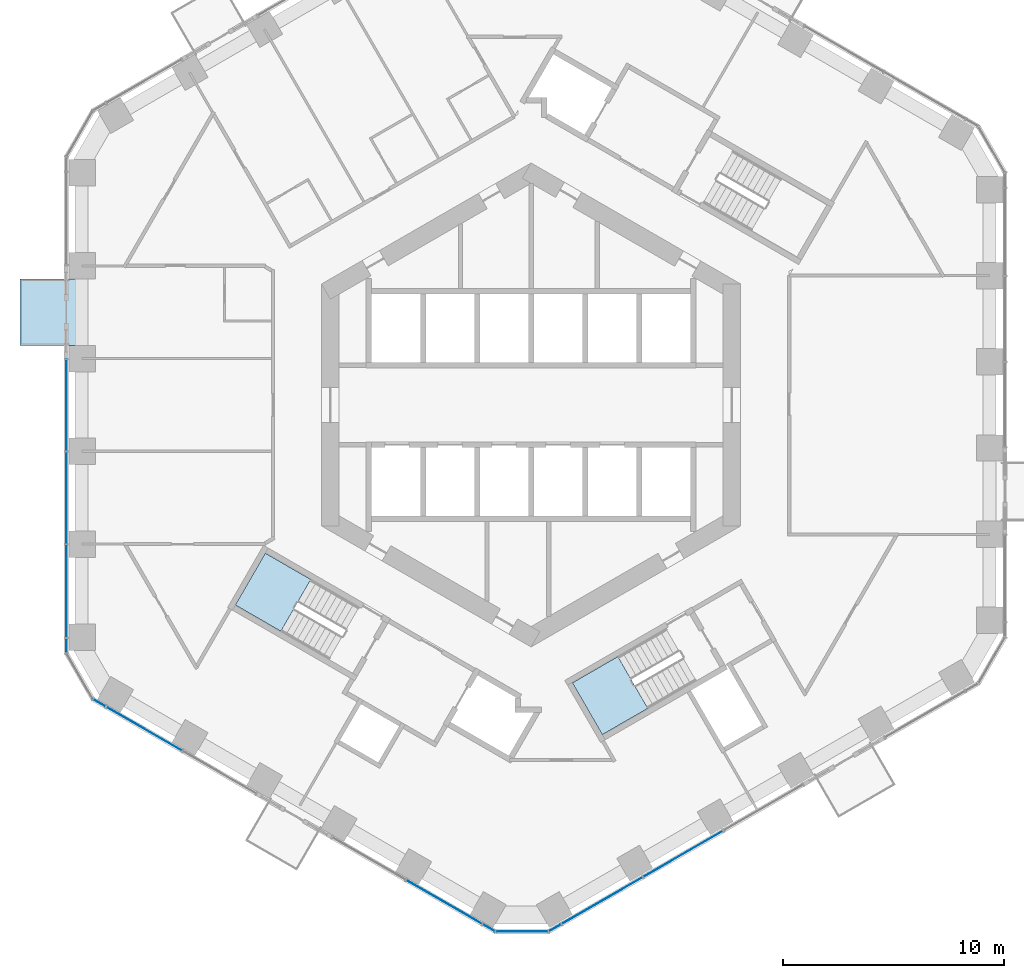
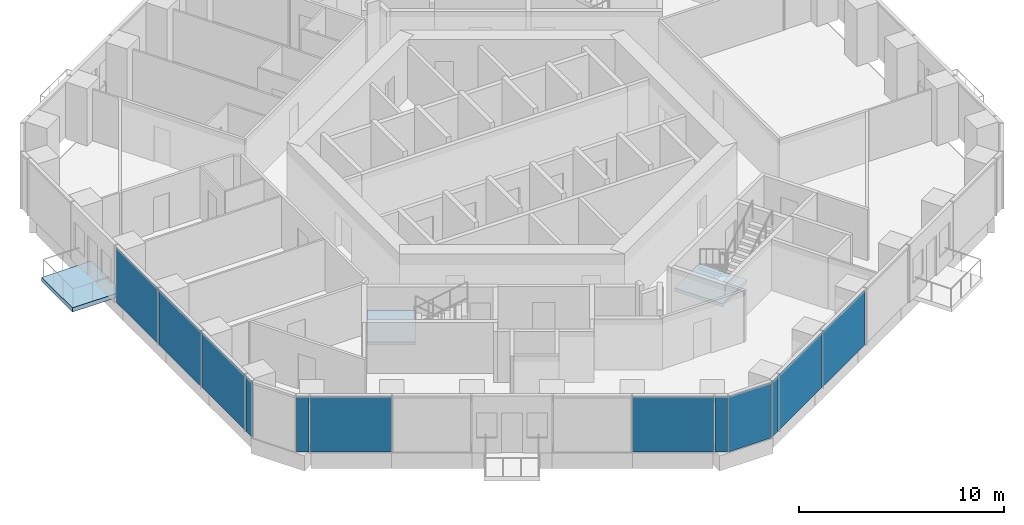
# One storey, part 9 of 20: 12 plates, 3 slabs, 8 elements without a shape of their own.
"""IFC4 building model written with IfcOpenShell, lengths in metres."""

from ifc_helpers import new_model, si_unit, direction, frame, origin, origin_2d, place, context, subcontext, project, spatial, polyline, rectangle, outline, extrude, material, layer, layer_set, type_object, element, aggregate, save


model = new_model("IFC4")

# Units and contexts
model_context = context("Model", 3, precision=1e-05, world=origin(), true_north=direction((0.0, 1.0)))
body_context = subcontext(model_context, "Body", "Model", "MODEL_VIEW")
ifc_project = project(units=[si_unit("LENGTHUNIT", "METRE"), si_unit("AREAUNIT", "SQUARE_METRE"), si_unit("VOLUMEUNIT", "CUBIC_METRE"), si_unit("PLANEANGLEUNIT", "RADIAN"), si_unit("MASSUNIT", "GRAM", prefix="KILO")], contexts=[model_context])

# Site, building, storey
site_placement = place(None, origin())
site = spatial("IfcSite", under=ifc_project, at=site_placement, CompositionType="ELEMENT")
building_placement = place(site_placement, origin())
building = spatial("IfcBuilding", under=site, at=building_placement, Name="Ayvan Gate Tower", CompositionType="ELEMENT")
storey_placement = place(building_placement, frame((0.0, 0.0, 49.300048828125)))
storey = spatial("IfcBuildingStorey", under=building, at=storey_placement, Name="L12", CompositionType="ELEMENT", Elevation=49.300048828125)

# Slab
ifc_material_1 = material(Name="Concrete C40/50", Category="concrete")
ifc_layer_1 = layer(ifc_material_1, 0.25)
ifc_layer_set_1 = layer_set([ifc_layer_1], Name="Concrete C40/50")
slab_type_1 = type_object("IfcSlabType", Name="Balcony slab 250", PredefinedType="FLOOR", material=ifc_layer_set_1)
slab_1_placement = place(storey_placement, frame((0.0, 0.0, -0.25)))
element("IfcSlab", 1, at=slab_1_placement, inside=storey, type_object=slab_type_1, Name="Balcony slab BAL-L12-3", PredefinedType="FLOOR", context=body_context, shape_type="SweptSolid", body=[
    extrude(outline(polyline([(-20.369140625, 5.70458984375), (-20.369140625, 2.70166015625), (-23.169189453125, 2.70166015625), (-23.169189453125, 5.70458984375), (-20.369140625, 5.70458984375)])), origin(), (0.0, 0.0, 1.0), 0.25),
])

# Stair, slab
stair_type = type_object("IfcStairType", Name="ST-EXIT", PredefinedType="HALF_TURN_STAIR", material=ifc_material_1)
stair_1_placement = place(storey_placement, origin())
stair_1 = element("IfcStair", 2, at=stair_1_placement, inside=storey, type_object=stair_type, Name="L12 Exit Stair S2", PredefinedType="HALF_TURN_STAIR")
ifc_layer_2 = layer(ifc_material_1, 0.199951171875)
ifc_layer_set_2 = layer_set([ifc_layer_2], Name="Concrete C40/50")
slab_type_2 = type_object("IfcSlabType", Name="SL-LANDING-200", PredefinedType="LANDING", material=ifc_layer_set_2)
slab_2_placement = place(storey_placement, frame((0.0, 0.0, 1.5)))
slab_2 = element("IfcSlab", 3, at=slab_2_placement, type_object=slab_type_2, Name="STS2 landing 1", PredefinedType="LANDING", context=body_context, shape_type="SweptSolid", body=[
    extrude(outline(polyline([(-9.988525390625, -7.91064453125), (-12.049560546875, -6.720458984375), (-13.404541015625, -9.0673828125), (-11.343505859375, -10.257568359375), (-9.988525390625, -7.91064453125)])), origin(), (0.0, 0.0, 1.0), 0.199951171875),
])
aggregate(stair_1, [slab_2])

stair_2_placement = place(storey_placement, origin())
stair_2 = element("IfcStair", 4, at=stair_2_placement, inside=storey, type_object=stair_type, Name="L12 Exit Stair S3", PredefinedType="HALF_TURN_STAIR")
slab_3_placement = place(storey_placement, frame((0.0, 0.0, 1.5)))
slab_3 = element("IfcSlab", 5, at=slab_3_placement, type_object=slab_type_2, Name="STS3 landing 1", PredefinedType="LANDING", context=body_context, shape_type="SweptSolid", body=[
    extrude(outline(polyline([(3.93505859375, -11.405517578125), (1.873779296875, -12.595458984375), (3.228759765625, -14.9423828125), (5.2900390625, -13.75244140625), (3.93505859375, -11.405517578125)])), origin(), (0.0, 0.0, 1.0), 0.199951171875),
])
aggregate(stair_2, [slab_3])

# Curtain wall, plates
ifc_material_2 = material(Name="Bronze anodised aluminium", Category="aluminium")
ifc_layer_3 = layer(ifc_material_2, 0.199951171875)
ifc_layer_set_3 = layer_set([ifc_layer_3], Name="Bronze anodised aluminium")
curtain_wall_type_1 = type_object("IfcCurtainWallType", Name="Stick curtain wall CW-1", PredefinedType="NOTDEFINED", material=ifc_layer_set_3)
curtain_wall_1_placement = place(storey_placement, origin())
curtain_wall_1 = element("IfcCurtainWall", 6, at=curtain_wall_1_placement, inside=storey, type_object=curtain_wall_type_1, Name="Stick curtain wall CW-1 L12", PredefinedType="NOTDEFINED")
ifc_material_3 = material(Name="Clear low-iron laminated glass", Category="glass")
ifc_layer_4 = layer(ifc_material_3, 0.028076171875)
ifc_layer_set_4 = layer_set([ifc_layer_4], Name="Clear low-iron laminated glass")
plate_type_1 = type_object("IfcPlateType", Name="Stick curtain wall CW-1 glass panel", PredefinedType="CURTAIN_PANEL", material=ifc_layer_set_4)
plate_1_placement = place(storey_placement, frame((-21.069091796875, 0.0, 0.0), z_axis=(0.0, 0.0, 1.0), x_axis=(0.0, -1.0, 0.0)))
plate_1 = element("IfcPlate", 7, at=plate_1_placement, type_object=plate_type_1, Name="CW-1 glass panel 1", PredefinedType="CURTAIN_PANEL", context=body_context, shape_type="SweptSolid", body=[
    extrude(rectangle(XDim=4.14990234375, YDim=0.028076171875, at=origin_2d()), origin(), (0.0, 0.0, 1.0), 3.280029296875),
])
plate_2_placement = place(storey_placement, frame((-21.069091796875, -4.2099609375, 0.0), z_axis=(0.0, 0.0, 1.0), x_axis=(0.0, -1.0, 0.0)))
plate_2 = element("IfcPlate", 8, at=plate_2_placement, type_object=plate_type_1, Name="CW-1 glass panel 2", PredefinedType="CURTAIN_PANEL", context=body_context, shape_type="SweptSolid", body=[
    extrude(rectangle(XDim=4.14990234375, YDim=0.028076171875, at=origin_2d()), origin(), (0.0, 0.0, 1.0), 3.280029296875),
])
plate_3_placement = place(storey_placement, frame((-21.069091796875, -8.45751953125, 0.0), z_axis=(0.0, 0.0, 1.0), x_axis=(0.0, -1.0, 0.0)))
plate_3 = element("IfcPlate", 9, at=plate_3_placement, type_object=plate_type_1, Name="CW-1 glass panel 3", PredefinedType="CURTAIN_PANEL", context=body_context, shape_type="SweptSolid", body=[
    extrude(rectangle(XDim=4.224853515625, YDim=0.028076171875, at=origin_2d()), origin(), (0.0, 0.0, 1.0), 3.280029296875),
])
aggregate(curtain_wall_1, [plate_1, plate_2, plate_3])

# Curtain wall, plate
curtain_wall_2_placement = place(storey_placement, origin())
curtain_wall_2 = element("IfcCurtainWall", 10, at=curtain_wall_2_placement, inside=storey, type_object=curtain_wall_type_1, Name="Stick curtain wall CW-1 L12", PredefinedType="NOTDEFINED")
plate_4_placement = place(storey_placement, frame((-17.554931640625, -14.673095703125, 0.0), z_axis=(0.0, 0.0, 1.0), x_axis=(0.866025403784, -0.5, 0.0)))
plate_4 = element("IfcPlate", 11, at=plate_4_placement, type_object=plate_type_1, Name="CW-1 glass panel 1", PredefinedType="CURTAIN_PANEL", context=body_context, shape_type="SweptSolid", body=[
    extrude(rectangle(XDim=3.968017578125, YDim=0.028076171875, at=origin_2d()), origin(), (0.0, 0.0, 1.0), 3.280029296875),
])
aggregate(curtain_wall_2, [plate_4])

curtain_wall_3_placement = place(storey_placement, origin())
curtain_wall_3 = element("IfcCurtainWall", 12, at=curtain_wall_3_placement, inside=storey, type_object=curtain_wall_type_1, Name="Stick curtain wall CW-1 L12", PredefinedType="NOTDEFINED")
plate_5_placement = place(storey_placement, frame((-3.9296875, -22.53955078125, 0.0), z_axis=(0.0, 0.0, 1.0), x_axis=(0.866025403784, -0.5, 0.0)))
plate_5 = element("IfcPlate", 13, at=plate_5_placement, type_object=plate_type_1, Name="CW-1 glass panel 2", PredefinedType="CURTAIN_PANEL", context=body_context, shape_type="SweptSolid", body=[
    extrude(rectangle(XDim=3.9677734375, YDim=0.028076171875, at=origin_2d()), origin(), (0.0, 0.0, 1.0), 3.280029296875),
])
aggregate(curtain_wall_3, [plate_5])

# Curtain wall, plates
curtain_wall_4_placement = place(storey_placement, origin())
curtain_wall_4 = element("IfcCurtainWall", 14, at=curtain_wall_4_placement, inside=storey, type_object=curtain_wall_type_1, Name="Stick curtain wall CW-1 L12", PredefinedType="NOTDEFINED")
plate_6_placement = place(storey_placement, frame((3.210205078125, -22.47509765625, 0.0), z_axis=(0.0, 0.0, 1.0), x_axis=(0.866025403784, 0.5, 0.0)))
plate_6 = element("IfcPlate", 15, at=plate_6_placement, type_object=plate_type_1, Name="CW-1 glass panel 1", PredefinedType="CURTAIN_PANEL", context=body_context, shape_type="SweptSolid", body=[
    extrude(rectangle(XDim=4.22509765625, YDim=0.028076171875, at=origin_2d()), origin(), (0.0, 0.0, 1.0), 3.280029296875),
])
plate_7_placement = place(storey_placement, frame((6.888671875, -20.351318359375, 0.0), z_axis=(0.0, 0.0, 1.0), x_axis=(0.866025403784, 0.5, 0.0)))
plate_7 = element("IfcPlate", 16, at=plate_7_placement, type_object=plate_type_1, Name="CW-1 glass panel 2", PredefinedType="CURTAIN_PANEL", context=body_context, shape_type="SweptSolid", body=[
    extrude(rectangle(XDim=4.14990234375, YDim=0.028076171875, at=origin_2d()), origin(), (0.0, 0.0, 1.0), 3.280029296875),
])
aggregate(curtain_wall_4, [plate_6, plate_7])

ifc_layer_5 = layer(ifc_material_2, 0.199951171875)
ifc_layer_set_5 = layer_set([ifc_layer_5], Name="Bronze anodised aluminium")
curtain_wall_type_2 = type_object("IfcCurtainWallType", Name="Stick curtain wall CW-6", PredefinedType="NOTDEFINED", material=ifc_layer_set_5)
curtain_wall_5_placement = place(storey_placement, origin())
curtain_wall_5 = element("IfcCurtainWall", 17, at=curtain_wall_5_placement, inside=storey, type_object=curtain_wall_type_2, Name="Stick curtain wall CW-6 L12", PredefinedType="NOTDEFINED")
ifc_layer_6 = layer(ifc_material_3, 0.028076171875)
ifc_layer_set_6 = layer_set([ifc_layer_6], Name="Clear low-iron laminated glass")
plate_type_2 = type_object("IfcPlateType", Name="Stick curtain wall CW-6 glass panel", PredefinedType="CURTAIN_PANEL", material=ifc_layer_set_6)
plate_8_placement = place(storey_placement, frame((-21.069091796875, -10.912353515625, 0.0), z_axis=(0.0, 0.0, 1.0), x_axis=(0.0, -1.0, 0.0)))
plate_8 = element("IfcPlate", 18, at=plate_8_placement, type_object=plate_type_2, Name="CW-6 glass panel 1", PredefinedType="CURTAIN_PANEL", context=body_context, shape_type="SweptSolid", body=[
    extrude(rectangle(XDim=0.625, YDim=0.028076171875, at=origin_2d()), origin(), (0.0, 0.0, 1.0), 3.280029296875),
])
plate_9_placement = place(storey_placement, frame((-19.569580078125, -13.509765625, 0.0), z_axis=(0.0, 0.0, 1.0), x_axis=(0.866025403784, -0.5, 0.0)))
plate_9 = element("IfcPlate", 19, at=plate_9_placement, type_object=plate_type_2, Name="CW-6 glass panel 3", PredefinedType="CURTAIN_PANEL", context=body_context, shape_type="SweptSolid", body=[
    extrude(rectangle(XDim=0.625, YDim=0.028076171875, at=origin_2d()), origin(), (0.0, 0.0, 1.0), 3.280029296875),
])
aggregate(curtain_wall_5, [plate_8, plate_9])

curtain_wall_6_placement = place(storey_placement, origin())
curtain_wall_6 = element("IfcCurtainWall", 20, at=curtain_wall_6_placement, inside=storey, type_object=curtain_wall_type_2, Name="Stick curtain wall CW-6 L12", PredefinedType="NOTDEFINED")
plate_10_placement = place(storey_placement, frame((-1.9150390625, -23.70263671875, 0.0), z_axis=(0.0, 0.0, 1.0), x_axis=(0.866025403784, -0.5, 0.0)))
plate_10 = element("IfcPlate", 21, at=plate_10_placement, type_object=plate_type_2, Name="CW-6 glass panel 1", PredefinedType="CURTAIN_PANEL", context=body_context, shape_type="SweptSolid", body=[
    extrude(rectangle(XDim=0.625, YDim=0.028076171875, at=origin_2d()), origin(), (0.0, 0.0, 1.0), 3.280029296875),
])
plate_11_placement = place(storey_placement, frame((-0.41552734375, -23.871337890625, 0.0), z_axis=(0.0, 0.0, 1.0), x_axis=(1.0, 0.0, 0.0)))
plate_11 = element("IfcPlate", 22, at=plate_11_placement, type_object=plate_type_2, Name="CW-6 glass panel 2", PredefinedType="CURTAIN_PANEL", context=body_context, shape_type="SweptSolid", body=[
    extrude(rectangle(XDim=2.364501953125, YDim=0.028076171875, at=origin_2d()), origin(), (0.0, 0.0, 1.0), 3.280029296875),
])
plate_12_placement = place(storey_placement, frame((1.084228515625, -23.70263671875, 0.0), z_axis=(0.0, 0.0, 1.0), x_axis=(0.866025403784, 0.5, 0.0)))
plate_12 = element("IfcPlate", 23, at=plate_12_placement, type_object=plate_type_2, Name="CW-6 glass panel 3", PredefinedType="CURTAIN_PANEL", context=body_context, shape_type="SweptSolid", body=[
    extrude(rectangle(XDim=0.625, YDim=0.028076171875, at=origin_2d()), origin(), (0.0, 0.0, 1.0), 3.280029296875),
])
aggregate(curtain_wall_6, [plate_10, plate_11, plate_12])

save(model, "model.ifc")
